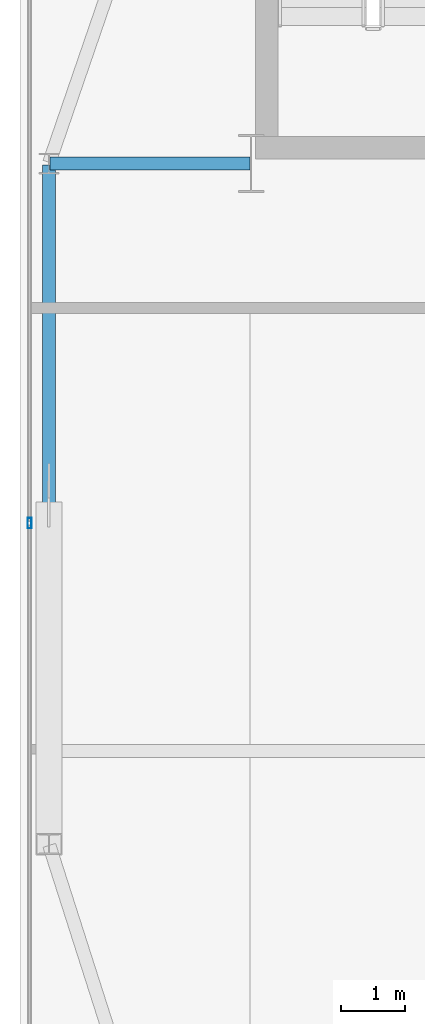
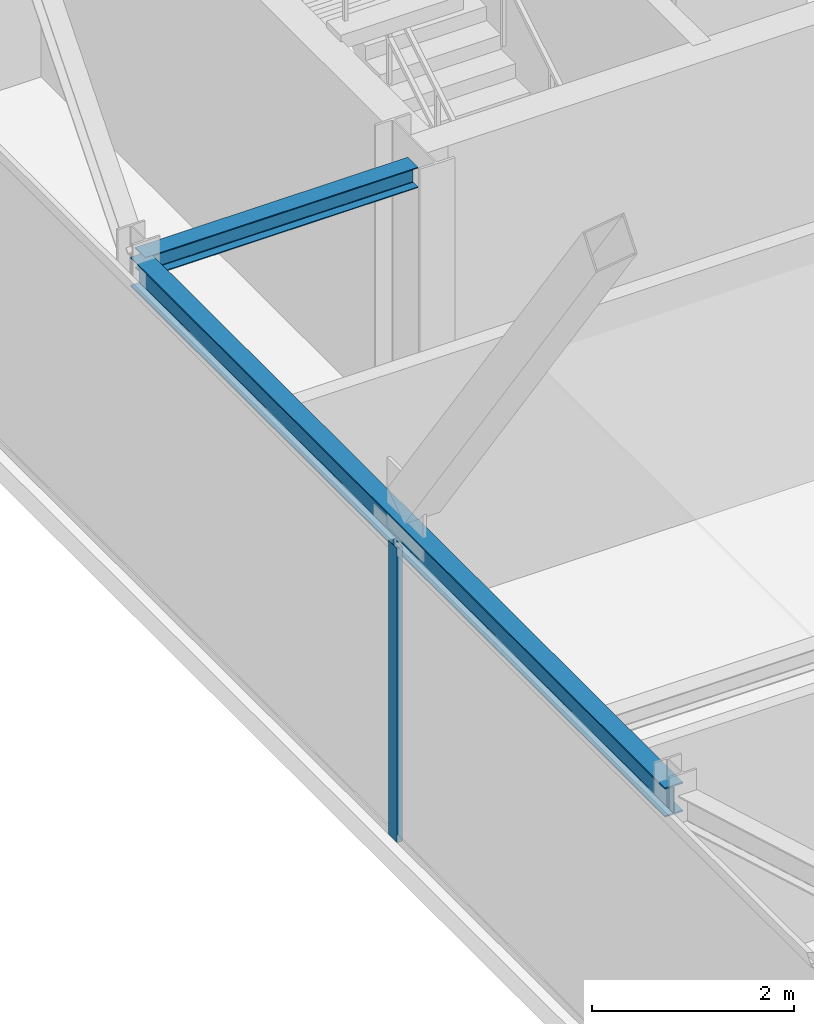
# One storey, part 10 of 24: 2 beams, 1 member, 1 element without a shape of its own.
"""IFC4 building model written with IfcOpenShell, lengths in metres."""

import ifcopenshell
import ifcopenshell.guid

model = None  # the IFC model being written
_history = None  # IfcOwnerHistory: only IFC2X3 demands one
_inside = {}  # id of a spatial element -> (the spatial element, [elements in it])
_under = {}  # id of a project, library or spatial element -> (it, [spatial elements below it])
_declared = {}  # id of a project -> (the project, [libraries it declares])
_typed = {}  # id of a type object -> (the type object, [elements of that type])
_made_of = {}  # id of a material, layer set ... -> (it, [elements and type objects made of it])


def new_model(schema):
    """Start an empty IFC model of exactly this schema.

    Asked for "IFC4X3", IfcOpenShell would pick the latest addendum, in which some entities
    have other attributes; the version numbers below select the first issue.
    IFC2X3 requires an IfcOwnerHistory on every rooted entity: one is made here for all.
    """
    global model, _history
    if schema == "IFC4X3":
        model = ifcopenshell.file(schema_version=(4, 3, 0, 0))
    else:
        model = ifcopenshell.file(schema=schema)
    _inside.clear()
    _under.clear()
    _declared.clear()
    _typed.clear()
    _made_of.clear()
    _history = None
    if model.schema == "IFC2X3":
        org = make("IfcOrganization", Name="unknown")
        user = make(
            "IfcPersonAndOrganization",
            ThePerson=make("IfcPerson", FamilyName="unknown"),
            TheOrganization=org,
        )
        app = make(
            "IfcApplication",
            ApplicationDeveloper=org,
            Version="unknown",
            ApplicationFullName="unknown",
            ApplicationIdentifier="unknown",
        )
        _history = make(
            "IfcOwnerHistory",
            OwningUser=user,
            OwningApplication=app,
            ChangeAction="ADDED",
            CreationDate=0,
        )
    return model


def make(cls, **values):
    """One entity of the class cls with the attributes given. An attribute that is None is left unset."""
    return model.create_entity(
        cls, **{name: value for name, value in values.items() if value is not None}
    )


def rooted(cls, **values):
    """An entity with a GlobalId (a new one), such as an element, a storey or a relation."""
    return make(cls, GlobalId=ifcopenshell.guid.new(), OwnerHistory=_history, **values)


def si_unit(unit_type, name, prefix=None):
    """IfcSIUnit, for example si_unit("LENGTHUNIT", "METRE", prefix="MILLI")."""
    return make("IfcSIUnit", UnitType=unit_type, Prefix=prefix, Name=name)


def assignment(units):
    """IfcUnitAssignment: the units of a project."""
    return None if units is None else make("IfcUnitAssignment", Units=units)


def point(xyz):
    """IfcCartesianPoint."""
    return None if xyz is None else make("IfcCartesianPoint", Coordinates=xyz)


def direction(xyz):
    """IfcDirection."""
    return None if xyz is None else make("IfcDirection", DirectionRatios=xyz)


def frame(location, z_axis=None, x_axis=None):
    """IfcAxis2Placement3D, a coordinate frame: its origin and axes. An axis left out is left unset."""
    return make(
        "IfcAxis2Placement3D",
        Location=point(location),
        Axis=direction(z_axis),
        RefDirection=direction(x_axis),
    )


def frame_2d(location, x_axis=None):
    """IfcAxis2Placement2D, a coordinate frame in the plane: its origin and x axis."""
    return make(
        "IfcAxis2Placement2D", Location=point(location), RefDirection=direction(x_axis)
    )


def origin():
    """The frame at (0, 0, 0) with its axes left unset."""
    return frame((0.0, 0.0, 0.0))


def origin_2d():
    """The frame at (0, 0) in the plane with its x axis left unset."""
    return frame_2d((0.0, 0.0))


def place(relative_to, where):
    """IfcLocalPlacement: puts the frame where relative to a parent placement (None: the world)."""
    return make(
        "IfcLocalPlacement", PlacementRelTo=relative_to, RelativePlacement=where
    )


def context(
    kind, dimensions, precision=None, world=None, true_north=None, identifier=None
):
    """IfcGeometricRepresentationContext, for example the 3D "Model" context."""
    return make(
        "IfcGeometricRepresentationContext",
        ContextIdentifier=identifier,
        ContextType=kind,
        CoordinateSpaceDimension=dimensions,
        Precision=precision,
        WorldCoordinateSystem=world,
        TrueNorth=true_north,
    )


def subcontext(parent, identifier, kind, view, scale=None):
    """IfcGeometricRepresentationSubContext, for example "Body" below "Model"."""
    return make(
        "IfcGeometricRepresentationSubContext",
        ContextIdentifier=identifier,
        ContextType=kind,
        ParentContext=parent,
        TargetScale=scale,
        TargetView=view,
    )


def project(units=None, contexts=None):
    """IfcProject with its units and contexts."""
    return rooted(
        "IfcProject",
        Name="project",
        RepresentationContexts=contexts,
        UnitsInContext=assignment(units),
    )


def spatial(cls, under=None, at=None, **own):
    """A site, building, storey or space (cls), placed at a placement, below another one or the project."""
    s = rooted(cls, ObjectPlacement=at, **own)
    if under is not None:
        _under.setdefault(under.id(), (under, []))[1].append(s)
    return s


def profile(cls, at=None, kind="AREA", **sizes):
    """A parametric profile (cls). Its sizes go by their IFC names, for example OverallWidth=200.0."""
    return make(cls, ProfileType=kind, Position=at, **sizes)


def hollow_rectangle(**sizes):
    """IfcRectangleHollowProfileDef."""
    return profile("IfcRectangleHollowProfileDef", **sizes)


def i_section(**sizes):
    """IfcIShapeProfileDef."""
    return profile("IfcIShapeProfileDef", **sizes)


def extrude(swept, where, along, depth):
    """IfcExtrudedAreaSolid: the profile swept, set in the frame where, extruded along a direction by depth."""
    return make(
        "IfcExtrudedAreaSolid",
        SweptArea=swept,
        Position=where,
        ExtrudedDirection=direction(along),
        Depth=depth,
    )


def shape(context_of_items, identifier, shape_type, items):
    """IfcShapeRepresentation: the items that make up one representation, for example the "Body"."""
    return make(
        "IfcShapeRepresentation",
        ContextOfItems=context_of_items,
        RepresentationIdentifier=identifier,
        RepresentationType=shape_type,
        Items=items,
    )


def source(mapping_origin, context_of_items, identifier, shape_type, items):
    """IfcRepresentationMap: a shape defined once, which mapped items show again and again."""
    return make(
        "IfcRepresentationMap",
        MappingOrigin=mapping_origin,
        MappedRepresentation=shape(context_of_items, identifier, shape_type, items),
    )


def transform(
    local_origin,
    x_axis=None,
    y_axis=None,
    z_axis=None,
    scale=None,
    scale2=None,
    scale3=None,
    uniform=True,
):
    """IfcCartesianTransformationOperator3D, or its non-uniform kind. x_axis, y_axis, z_axis: its Axis1, 2, 3."""
    if uniform:
        return make(
            "IfcCartesianTransformationOperator3D",
            Axis1=direction(x_axis),
            Axis2=direction(y_axis),
            LocalOrigin=point(local_origin),
            Scale=scale,
            Axis3=direction(z_axis),
        )
    return make(
        "IfcCartesianTransformationOperator3DnonUniform",
        Axis1=direction(x_axis),
        Axis2=direction(y_axis),
        LocalOrigin=point(local_origin),
        Scale=scale,
        Axis3=direction(z_axis),
        Scale2=scale2,
        Scale3=scale3,
    )


def mapped(mapping_source, mapping_target):
    """IfcMappedItem: shows the shape of a source again, moved by a transform."""
    return make(
        "IfcMappedItem", MappingSource=mapping_source, MappingTarget=mapping_target
    )


def material(Name=None, Category=None):
    """IfcMaterial."""
    return make("IfcMaterial", Name=Name, Category=Category)


def layer(
    of_material, thickness, ventilated=None, Name=None, Category=None, Priority=None
):
    """IfcMaterialLayer: one layer of a wall or slab, of a material (None: an air gap)."""
    return make(
        "IfcMaterialLayer",
        Material=of_material,
        LayerThickness=thickness,
        IsVentilated=ventilated,
        Name=Name,
        Category=Category,
        Priority=Priority,
    )


def layer_set(layers, Name=None):
    """IfcMaterialLayerSet."""
    return make("IfcMaterialLayerSet", MaterialLayers=layers, LayerSetName=Name)


def material_profile(
    of_material, cross_section, Name=None, Category=None, Priority=None
):
    """IfcMaterialProfile: a cross section and its material."""
    return make(
        "IfcMaterialProfile",
        Name=Name,
        Material=of_material,
        Profile=cross_section,
        Priority=Priority,
        Category=Category,
    )


def profile_set(profiles, Name=None, composite=None):
    """IfcMaterialProfileSet."""
    return make(
        "IfcMaterialProfileSet",
        Name=Name,
        MaterialProfiles=profiles,
        CompositeProfile=composite,
    )


def made_of(thing, what):
    """Note that an element or type object is made of a material, layer set ...; save() writes the relation."""
    if what is not None:
        _made_of.setdefault(what.id(), (what, []))[1].append(thing)
    return thing


def type_object(cls, material=None, **own):
    """A type object (cls), such as IfcWallType, which elements share."""
    return made_of(rooted(cls, **own), material)


def type_shapes(of_type, sources):
    """Give a type object the sources (RepresentationMaps) that its elements show as mapped items."""
    of_type.RepresentationMaps = sources


def element(
    cls,
    number,
    at=None,
    inside=None,
    cuts=None,
    type_object=None,
    material=None,
    context=None,
    identifier="Body",
    shape_type=None,
    held_by="IfcProductDefinitionShape",
    body=None,
    shapes=None,
    **own,
):
    """One element of the class cls, such as IfcWall. Its Tag is "e" and its number.

    at: its placement. inside: the storey or other place that contains it. cuts: it is an
    opening in that element (IfcRelVoidsElement). A single representation is given by context,
    identifier, shape_type and body (its items); several are given by shapes. held_by: the class
    of the entity that holds the representations. save() writes the other relations.
    """
    e = rooted(cls, Tag="e%d" % number, ObjectPlacement=at, **own)
    if body is not None:
        shapes = [shape(context, identifier, shape_type, body)]
    if shapes is not None:
        e.Representation = make(held_by, Representations=shapes)
    if inside is not None:
        _inside.setdefault(inside.id(), (inside, []))[1].append(e)
    if cuts is not None:
        rooted(
            "IfcRelVoidsElement", RelatingBuildingElement=cuts, RelatedOpeningElement=e
        )
    if type_object is not None:
        _typed.setdefault(type_object.id(), (type_object, []))[1].append(e)
    return made_of(e, material)


def aggregate(whole, parts):
    """IfcRelAggregates: a whole, such as a stair, and the parts it consists of."""
    return rooted("IfcRelAggregates", RelatingObject=whole, RelatedObjects=parts)


def save(model, path):
    """Write the relations noted so far, then the file.

    IfcRelAggregates (storeys below a building ...), IfcRelContainedInSpatialStructure (elements
    in a storey), IfcRelDefinesByType, IfcRelAssociatesMaterial and IfcRelDeclares: one each for
    every whole, place, type object, material and project.
    """
    for whole, parts in _under.values():
        aggregate(whole, parts)
    for where, things in _inside.values():
        rooted(
            "IfcRelContainedInSpatialStructure",
            RelatedElements=things,
            RelatingStructure=where,
        )
    for kind, things in _typed.values():
        rooted("IfcRelDefinesByType", RelatedObjects=things, RelatingType=kind)
    for what, things in _made_of.values():
        rooted("IfcRelAssociatesMaterial", RelatedObjects=things, RelatingMaterial=what)
    for by, libraries in _declared.values():
        rooted("IfcRelDeclares", RelatingContext=by, RelatedDefinitions=libraries)
    model.write(path)


model = new_model("IFC4")

# Units and contexts
model_context = context("Model", 3, precision=1e-05, world=origin(), true_north=direction((0.0, 1.0)))
body_context = subcontext(model_context, "Body", "Model", "MODEL_VIEW")
ifc_project = project(units=[si_unit("LENGTHUNIT", "METRE"), si_unit("AREAUNIT", "SQUARE_METRE"), si_unit("VOLUMEUNIT", "CUBIC_METRE"), si_unit("PLANEANGLEUNIT", "RADIAN"), si_unit("MASSUNIT", "GRAM", prefix="KILO")], contexts=[model_context])

# Site, building, storey
site_placement = place(None, origin())
site = spatial("IfcSite", under=ifc_project, at=site_placement, CompositionType="ELEMENT")
building_placement = place(site_placement, origin())
building = spatial("IfcBuilding", under=site, at=building_placement, Name="Varnel Quay Broadcast Tower", CompositionType="ELEMENT")
storey_placement = place(building_placement, frame((0.0, 0.0, 277.39990234375)))
storey = spatial("IfcBuildingStorey", under=building, at=storey_placement, Name="L69", CompositionType="ELEMENT", Elevation=277.39990234375)

# Beams
ifc_material_1 = material(Name="Structural Steel CSA G40.21 350W", Category="steel")
ifc_material_profile_1 = material_profile(ifc_material_1, i_section(OverallWidth=0.205078125, OverallDepth=0.35400390625, WebThickness=0.009521484375, FlangeThickness=0.016845703125, FilletRadius=0.012939453125, at=origin_2d()), Name="W360X79")
ifc_profile_set_1 = profile_set([ifc_material_profile_1], Name="Structural Steel CSA G40.21 350W")
beam_type_1 = type_object("IfcBeamType", Name="Beam_W360X79", PredefinedType="SPANDREL", material=ifc_profile_set_1)
shared_shape_1 = source(origin(), body_context, "Body", "SweptSolid", [
    extrude(i_section(OverallWidth=0.205078125, OverallDepth=0.35400390625, WebThickness=0.009521484375, FlangeThickness=0.016845703125, FilletRadius=0.012939453125, at=origin_2d()), origin(), (0.0, 0.0, 1.0), 10.56005859375),
])
type_shapes(beam_type_1, [shared_shape_1])
beam_1_placement = place(storey_placement, frame((12.449951171875, 25.02001953125, 3.373046875), z_axis=(0.0, 1.0, 0.0), x_axis=(-1.0, 0.0, 0.0)))
element("IfcBeam", 1, at=beam_1_placement, inside=storey, type_object=beam_type_1, Name="L69 West Spandrel TC-W1-TC-W2", PredefinedType="SPANDREL", context=body_context, shape_type="MappedRepresentation", body=[
    mapped(shared_shape_1, transform((0.0, 0.0, 0.0), x_axis=(1.0, 0.0, 0.0), y_axis=(0.0, 1.0, 0.0), z_axis=(0.0, 0.0, 1.0), scale=1.0)),
])
ifc_material_profile_2 = material_profile(ifc_material_1, i_section(OverallWidth=0.201904296875, OverallDepth=0.2470703125, WebThickness=0.00732421875, FlangeThickness=0.010986328125, FilletRadius=0.010986328125, at=origin_2d()), Name="W250X49")
ifc_profile_set_2 = profile_set([ifc_material_profile_2], Name="Structural Steel CSA G40.21 350W")
beam_type_2 = type_object("IfcBeamType", Name="Beam_W250X49", PredefinedType="JOIST", material=ifc_profile_set_2)
shared_shape_2 = source(origin(), body_context, "Body", "SweptSolid", [
    extrude(i_section(OverallWidth=0.201904296875, OverallDepth=0.2470703125, WebThickness=0.00732421875, FlangeThickness=0.010986328125, FilletRadius=0.010986328125, at=origin_2d()), origin(), (0.0, 0.0, 1.0), 3.110107421875),
])
type_shapes(beam_type_2, [shared_shape_2])
beam_2_placement = place(storey_placement, frame((12.469970703125, 35.60009765625, 3.426513671875), z_axis=(1.0, 0.0, 0.0), x_axis=(0.0, 1.0, 0.0)))
element("IfcBeam", 2, at=beam_2_placement, inside=storey, type_object=beam_type_2, Name="L69 West Core Tie Joist", PredefinedType="JOIST", context=body_context, shape_type="MappedRepresentation", body=[
    mapped(shared_shape_2, transform((0.0, 0.0, 0.0), x_axis=(1.0, 0.0, 0.0), y_axis=(0.0, 1.0, 0.0), z_axis=(0.0, 0.0, 1.0), scale=1.0)),
])

# Curtain wall, member
ifc_material_2 = material(Name="Anodised Bronze Aluminium 6063-T6", Category="aluminium")
ifc_layer = layer(ifc_material_2, 0.18994140625, Name="Anodised Bronze Aluminium 6063-T6")
ifc_layer_set = layer_set([ifc_layer], Name="Anodised Bronze Aluminium 6063-T6")
curtain_wall_type = type_object("IfcCurtainWallType", Name="CW_UpperTower", PredefinedType="NOTDEFINED", material=ifc_layer_set)
curtain_wall_placement = place(storey_placement, origin())
curtain_wall = element("IfcCurtainWall", 3, at=curtain_wall_placement, inside=storey, type_object=curtain_wall_type, Name="L69 West Unitised Curtain Wall", PredefinedType="NOTDEFINED")
ifc_material_profile_3 = material_profile(ifc_material_2, hollow_rectangle(XDim=0.06494140625, YDim=0.1650390625, WallThickness=0.00341796875, at=origin_2d()), Name="ALU65X165X3.5")
ifc_profile_set_3 = profile_set([ifc_material_profile_3], Name="Anodised Bronze Aluminium 6063-T6")
member_type = type_object("IfcMemberType", Name="Mull_CWS-03", PredefinedType="MULLION", material=ifc_profile_set_3)
shared_shape_3 = source(origin(), body_context, "Body", "SweptSolid", [
    extrude(hollow_rectangle(XDim=0.06494140625, YDim=0.1650390625, WallThickness=0.00341796875, at=origin_2d()), origin(), (0.0, 0.0, 1.0), 3.550048828125),
])
type_shapes(member_type, [shared_shape_3])
member_placement = place(storey_placement, frame((12.14990234375, 30.0, 0.0), z_axis=(0.0, 0.0, 1.0), x_axis=(-1.0, 0.0, 0.0)))
member = element("IfcMember", 4, at=member_placement, type_object=member_type, Name="CWS-03 mullion 2", PredefinedType="MULLION", context=body_context, shape_type="MappedRepresentation", body=[
    mapped(shared_shape_3, transform((0.0, 0.0, 0.0), x_axis=(1.0, 0.0, 0.0), y_axis=(0.0, 1.0, 0.0), z_axis=(0.0, 0.0, 1.0), scale=1.0)),
])
aggregate(curtain_wall, [member])

save(model, "model.ifc")
